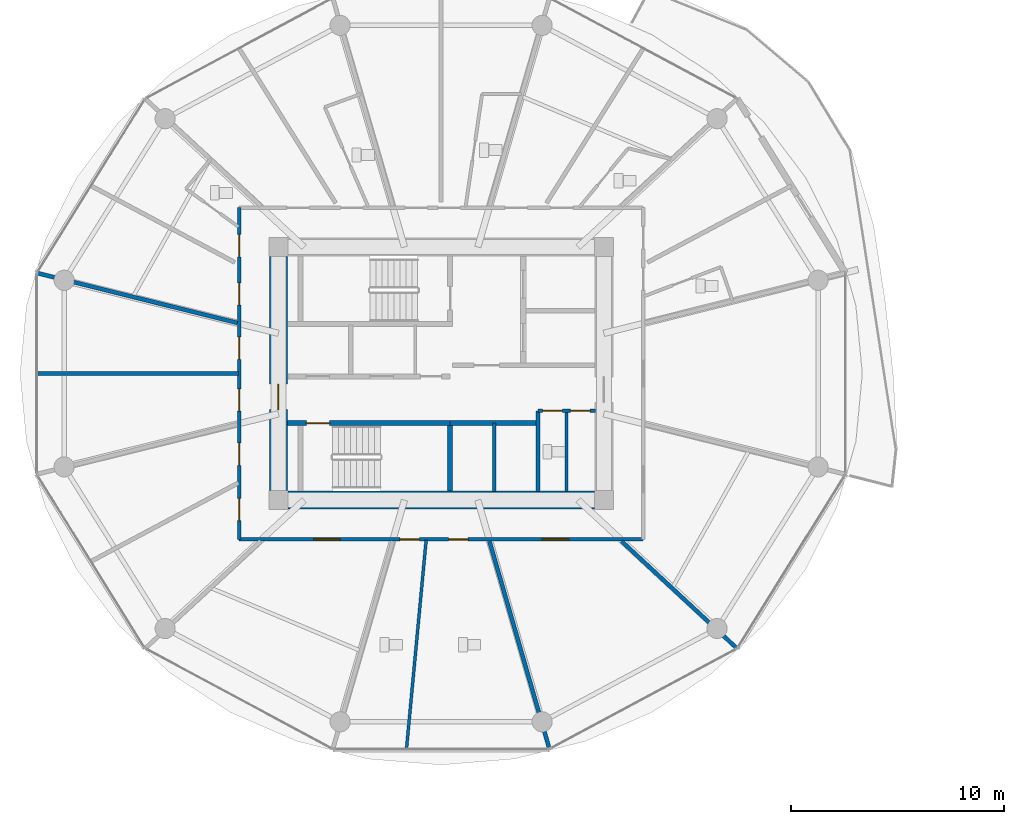
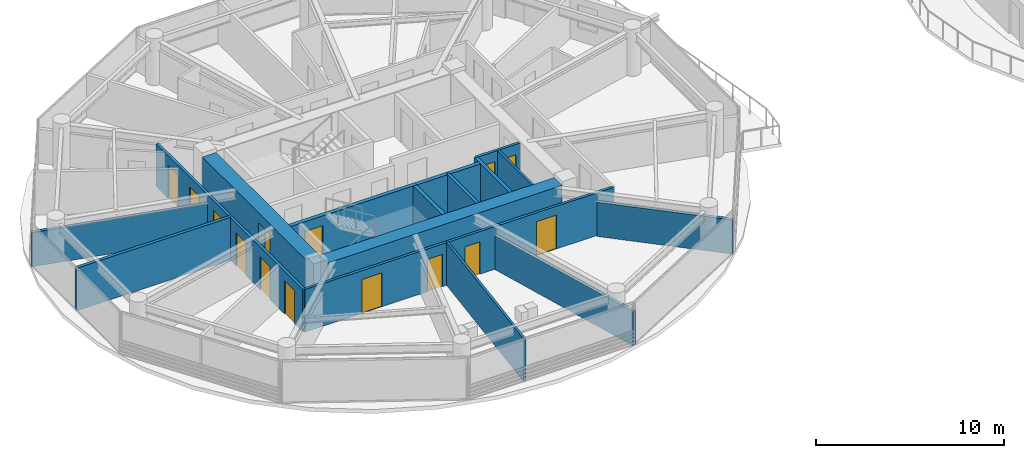
# One storey, part 15 of 26: 16 walls, 14 doors, 14 openings.
"""IFC4 building model written with IfcOpenShell, lengths in metres."""

from ifc_helpers import new_model, si_unit, direction, frame, frame_2d, origin, place, context, subcontext, project, spatial, rectangle, extrude, source, transform, mapped, material, layer, layer_set, type_object, type_shapes, element, fill, save


model = new_model("IFC4")

# Units and contexts
model_context = context("Model", 3, precision=1e-05, world=origin(), true_north=direction((0.0, 1.0)))
body_context = subcontext(model_context, "Body", "Model", "MODEL_VIEW")
ifc_project = project(units=[si_unit("LENGTHUNIT", "METRE"), si_unit("AREAUNIT", "SQUARE_METRE"), si_unit("VOLUMEUNIT", "CUBIC_METRE"), si_unit("PLANEANGLEUNIT", "RADIAN"), si_unit("MASSUNIT", "GRAM", prefix="KILO")], contexts=[model_context])

# Site, building, storey
site_placement = place(None, origin())
site = spatial("IfcSite", under=ifc_project, at=site_placement, CompositionType="ELEMENT")
building_placement = place(site_placement, origin())
building = spatial("IfcBuilding", under=site, at=building_placement, Name="Norrkilde Senior Care Towers", CompositionType="ELEMENT")
storey_placement = place(building_placement, frame((0.0, 0.0, 67.35009765625)))
storey = spatial("IfcBuildingStorey", under=building, at=storey_placement, Name="L20", CompositionType="ELEMENT", Elevation=67.35009765625)

# Wall
ifc_material_1 = material(Name="Concrete C60/75", Category="concrete")
ifc_layer_1 = layer(ifc_material_1, 0.85009765625)
ifc_layer_set_1 = layer_set([ifc_layer_1], Name="Concrete C60/75")
wall_type_1 = type_object("IfcWallType", Name="Core Shear Wall Z1 850", PredefinedType="SHEAR", material=ifc_layer_set_1)
shared_shape_1 = source(origin(), body_context, "Body", "SweptSolid", [
    extrude(rectangle(XDim=14.39990234375, YDim=0.85009765625, at=frame_2d((7.199951171875, 0.0))), origin(), (0.0, 0.0, 1.0), 2.789794921875),
])
wall_1_placement = place(storey_placement, frame((-20.800048828125, -5.949951171875, 0.0), z_axis=(0.0, 0.0, 1.0), x_axis=(-1.0, 0.0, 0.0)))
element("IfcWall", 1, at=wall_1_placement, inside=storey, type_object=wall_type_1, Name="L20 Core W South Shear Wall", PredefinedType="SHEAR", context=body_context, shape_type="MappedRepresentation", body=[
    mapped(shared_shape_1, transform((0.0, 0.0, 0.0), x_axis=(1.0, 0.0, 0.0), y_axis=(0.0, 1.0, 0.0), z_axis=(0.0, 0.0, 1.0), scale=1.0)),
])

# Wall, opening, door
shared_shape_2 = source(origin(), body_context, "Body", "SweptSolid", [
    extrude(rectangle(XDim=11.0, YDim=0.85009765625, at=frame_2d((5.5, 0.0))), origin(), (0.0, 0.0, 1.0), 2.789794921875),
])
type_shapes(wall_type_1, [shared_shape_1, shared_shape_2])
wall_2_placement = place(storey_placement, frame((-35.64990234375, -5.5, 0.0), z_axis=(0.0, 0.0, 1.0), x_axis=(0.0, 1.0, 0.0)))
wall_2 = element("IfcWall", 2, at=wall_2_placement, inside=storey, type_object=wall_type_1, Name="L20 Core W West Shear Wall", PredefinedType="SHEAR", context=body_context, shape_type="MappedRepresentation", body=[
    mapped(shared_shape_2, transform((0.0, 0.0, 0.0), x_axis=(1.0, 0.0, 0.0), y_axis=(0.0, 1.0, 0.0), z_axis=(0.0, 0.0, 1.0), scale=1.0)),
])
opening_1_placement = place(wall_2_placement, frame((3.800048828125, 0.0, 0.0)))
opening_1 = element("IfcOpeningElement", 3, at=opening_1_placement, cuts=wall_2, Name="Opening D-04", PredefinedType="OPENING", context=body_context, shape_type="SweptSolid", body=[
    extrude(rectangle(XDim=1.199951171875, YDim=2.14990234375, at=frame_2d((0.60009765625, 1.074951171875))), frame((0.0, 0.43505859375, 0.0), z_axis=(0.0, -1.0, 0.0), x_axis=(1.0, 0.0, 0.0)), (0.0, 0.0, 1.0), 0.8701171875),
])
ifc_material_2 = material(Name="Galvanised Painted Steel", Category="steel")
door_type_1 = type_object("IfcDoorType", Name="Firefighting Lobby Fire Door 1200x2150", OperationType="NOTDEFINED", PredefinedType="DOOR", material=ifc_material_2)
shared_shape_3 = source(origin(), body_context, "Body", "SweptSolid", [
    extrude(rectangle(XDim=1.199951171875, YDim=2.14990234375, at=frame_2d((0.60009765625, 1.074951171875))), frame((0.0, 0.02490234375, 0.0), z_axis=(0.0, -1.0, 0.0), x_axis=(1.0, 0.0, 0.0)), (0.0, 0.0, 1.0), 0.050048828125),
])
type_shapes(door_type_1, [shared_shape_3])
door_1_placement = place(opening_1_placement, frame((1.199951171875, 0.0, 0.0), z_axis=(0.0, 0.0, 1.0), x_axis=(-1.0, 0.0, 0.0)))
door_1 = element("IfcDoor", 4, at=door_1_placement, inside=storey, type_object=door_type_1, Name="L20 Core W West Portal Door", OperationType="SINGLE_SWING_LEFT", OverallHeight=2.14990234375, OverallWidth=1.199951171875, PredefinedType="DOOR", context=body_context, shape_type="MappedRepresentation", body=[
    mapped(shared_shape_3, transform((0.0, 0.0, 0.0), x_axis=(1.0, 0.0, 0.0), y_axis=(0.0, 1.0, 0.0), z_axis=(0.0, 0.0, 1.0), scale=1.0)),
])
fill(opening_1, door_1)

ifc_material_3 = material(Name="Concrete C45/55", Category="concrete")
ifc_layer_2 = layer(ifc_material_3, 0.239990234375)
ifc_layer_set_2 = layer_set([ifc_layer_2], Name="Concrete C45/55")
wall_type_2 = type_object("IfcWallType", Name="Shaft and Stair Enclosure Wall 240", PredefinedType="PARTITIONING", material=ifc_layer_set_2)
shared_shape_4 = source(origin(), body_context, "Body", "SweptSolid", [
    extrude(rectangle(XDim=7.76513671875, YDim=0.239990234375, at=frame_2d((3.882568359375, 0.0))), origin(), (0.0, 0.0, 1.0), 2.789794921875),
])
wall_3_placement = place(storey_placement, frame((-35.22509765625, -2.330078125, 0.0), z_axis=(0.0, 0.0, 1.0), x_axis=(1.0, 0.0, 0.0)))
wall_3 = element("IfcWall", 5, at=wall_3_placement, inside=storey, type_object=wall_type_2, Name="WL-INT-L20-W-ST2N", PredefinedType="PARTITIONING", context=body_context, shape_type="MappedRepresentation", body=[
    mapped(shared_shape_4, transform((0.0, 0.0, 0.0), x_axis=(1.0, 0.0, 0.0), y_axis=(0.0, 1.0, 0.0), z_axis=(0.0, 0.0, 1.0), scale=1.0)),
])
opening_2_placement = place(wall_3_placement, frame((0.885009765625, 0.0, 0.0)))
opening_2 = element("IfcOpeningElement", 6, at=opening_2_placement, cuts=wall_3, Name="Opening D-03", PredefinedType="OPENING", context=body_context, shape_type="SweptSolid", body=[
    extrude(rectangle(XDim=1.10009765625, YDim=2.14990234375, at=frame_2d((0.550048828125, 1.074951171875))), frame((0.0, 0.1298828125, 0.0), z_axis=(0.0, -1.0, 0.0), x_axis=(1.0, 0.0, 0.0)), (0.0, 0.0, 1.0), 0.260009765625),
])
door_type_2 = type_object("IfcDoorType", Name="Stairwell Protected Fire Door 1100x2150", OperationType="NOTDEFINED", PredefinedType="DOOR", material=ifc_material_2)
shared_shape_5 = source(origin(), body_context, "Body", "SweptSolid", [
    extrude(rectangle(XDim=1.10009765625, YDim=2.14990234375, at=frame_2d((0.550048828125, 1.074951171875))), frame((0.0, 0.02490234375, 0.0), z_axis=(0.0, -1.0, 0.0), x_axis=(1.0, 0.0, 0.0)), (0.0, 0.0, 1.0), 0.050048828125),
])
type_shapes(door_type_2, [shared_shape_5])
door_2_placement = place(opening_2_placement, frame((1.10009765625, 0.0, 0.0), z_axis=(0.0, 0.0, 1.0), x_axis=(-1.0, 0.0, 0.0)))
door_2 = element("IfcDoor", 7, at=door_2_placement, inside=storey, type_object=door_type_2, Name="L20 Stair W2 Fire Door", OperationType="SINGLE_SWING_RIGHT", OverallHeight=2.14990234375, OverallWidth=1.10009765625, PredefinedType="DOOR", context=body_context, shape_type="MappedRepresentation", body=[
    mapped(shared_shape_5, transform((0.0, 0.0, 0.0), x_axis=(1.0, 0.0, 0.0), y_axis=(0.0, 1.0, 0.0), z_axis=(0.0, 0.0, 1.0), scale=1.0)),
])
fill(opening_2, door_2)

# Walls
shared_shape_6 = source(origin(), body_context, "Body", "SweptSolid", [
    extrude(rectangle(XDim=3.074951171875, YDim=0.239990234375, at=frame_2d((1.53759765625, 0.0))), origin(), (0.0, 0.0, 1.0), 2.789794921875),
])
type_shapes(wall_type_2, [shared_shape_4, shared_shape_6])
wall_4_placement = place(storey_placement, frame((-27.580078125, -5.52490234375, 0.0), z_axis=(0.0, 0.0, 1.0), x_axis=(0.0, 1.0, 0.0)))
element("IfcWall", 8, at=wall_4_placement, inside=storey, type_object=wall_type_2, Name="WL-INT-L20-W-ST2E", PredefinedType="PARTITIONING", context=body_context, shape_type="MappedRepresentation", body=[
    mapped(shared_shape_6, transform((0.0, 0.0, 0.0), x_axis=(1.0, 0.0, 0.0), y_axis=(0.0, 1.0, 0.0), z_axis=(0.0, 0.0, 1.0), scale=1.0)),
])
ifc_layer_3 = layer(ifc_material_3, 0.199951171875)
ifc_layer_set_3 = layer_set([ifc_layer_3], Name="Concrete C45/55")
wall_type_3 = type_object("IfcWallType", Name="Shaft Division and Plant Partition 200", PredefinedType="PARTITIONING", material=ifc_layer_set_3)
shared_shape_7 = source(origin(), body_context, "Body", "SweptSolid", [
    extrude(rectangle(XDim=3.800048828125, YDim=0.199951171875, at=frame_2d((1.89990234375, 0.0))), origin(), (0.0, 0.0, 1.0), 2.77490234375),
])
type_shapes(wall_type_3, [shared_shape_7])
wall_5_placement = place(storey_placement, frame((-23.449951171875, -5.550048828125, 0.0), z_axis=(0.0, 0.0, 1.0), x_axis=(0.0, 1.0, 0.0)))
element("IfcWall", 9, at=wall_5_placement, inside=storey, type_object=wall_type_3, Name="WL-INT-L20-W-PKBE", PredefinedType="PARTITIONING", context=body_context, shape_type="MappedRepresentation", body=[
    mapped(shared_shape_7, transform((0.0, 0.0, 0.0), x_axis=(1.0, 0.0, 0.0), y_axis=(0.0, 1.0, 0.0), z_axis=(0.0, 0.0, 1.0), scale=1.0)),
])
ifc_layer_4 = layer(ifc_material_3, 0.239990234375)
ifc_layer_set_4 = layer_set([ifc_layer_4], Name="Concrete C45/55")
wall_type_4 = type_object("IfcWallType", Name="Lift and Plant Rated Enclosure Partition 240", PredefinedType="PARTITIONING", material=ifc_layer_set_4)
shared_shape_8 = source(origin(), body_context, "Body", "SweptSolid", [
    extrude(rectangle(XDim=4.130126953125, YDim=0.239990234375, at=frame_2d((2.06494140625, 0.0))), origin(), (0.0, 0.0, 1.0), 2.77490234375),
])
type_shapes(wall_type_4, [shared_shape_8])
wall_6_placement = place(storey_placement, frame((-27.580078125, -2.330078125, 0.0), z_axis=(0.0, 0.0, 1.0), x_axis=(1.0, 0.0, 0.0)))
element("IfcWall", 10, at=wall_6_placement, inside=storey, type_object=wall_type_4, Name="WL-INT-L20-W-PKBN", PredefinedType="PARTITIONING", context=body_context, shape_type="MappedRepresentation", body=[
    mapped(shared_shape_8, transform((0.0, 0.0, 0.0), x_axis=(1.0, 0.0, 0.0), y_axis=(0.0, 1.0, 0.0), z_axis=(0.0, 0.0, 1.0), scale=1.0)),
])
ifc_layer_5 = layer(ifc_material_3, 0.179931640625)
ifc_layer_set_5 = layer_set([ifc_layer_5], Name="Concrete C45/55")
wall_type_5 = type_object("IfcWallType", Name="Hoistway Division Rated Partition 180", PredefinedType="PARTITIONING", material=ifc_layer_set_5)
shared_shape_9 = source(origin(), body_context, "Body", "SweptSolid", [
    extrude(rectangle(XDim=3.219970703125, YDim=0.179931640625, at=frame_2d((1.60986328125, 0.0))), origin(), (0.0, 0.0, 1.0), 2.77490234375),
])
type_shapes(wall_type_5, [shared_shape_9])
wall_7_placement = place(storey_placement, frame((-25.5, -5.550048828125, 0.0), z_axis=(0.0, 0.0, 1.0), x_axis=(0.0, 1.0, 0.0)))
element("IfcWall", 11, at=wall_7_placement, inside=storey, type_object=wall_type_5, Name="WL-INT-L20-W-PL34", PredefinedType="PARTITIONING", context=body_context, shape_type="MappedRepresentation", body=[
    mapped(shared_shape_9, transform((0.0, 0.0, 0.0), x_axis=(1.0, 0.0, 0.0), y_axis=(0.0, 1.0, 0.0), z_axis=(0.0, 0.0, 1.0), scale=1.0)),
])

# Wall, openings, doors
ifc_material_4 = material(Name="Gypsum Acoustic Board")
ifc_layer_6 = layer(ifc_material_4, 0.1650390625)
ifc_layer_set_6 = layer_set([ifc_layer_6], Name="Gypsum Acoustic Board")
wall_type_6 = type_object("IfcWallType", Name="Corridor Rated Partition 165", PredefinedType="PARTITIONING", material=ifc_layer_set_6)
shared_shape_10 = source(origin(), body_context, "Body", "SweptSolid", [
    extrude(rectangle(XDim=2.699951171875, YDim=0.1650390625, at=frame_2d((1.35009765625, 0.0))), origin(), (0.0, 0.0, 1.0), 2.77490234375),
])
wall_8_placement = place(storey_placement, frame((-23.449951171875, -1.75, 0.0), z_axis=(0.0, 0.0, 1.0), x_axis=(1.0, 0.0, 0.0)))
wall_8 = element("IfcWall", 12, at=wall_8_placement, inside=storey, type_object=wall_type_6, Name="WL-INT-L20-W-CSN", PredefinedType="PARTITIONING", context=body_context, shape_type="MappedRepresentation", body=[
    mapped(shared_shape_10, transform((0.0, 0.0, 0.0), x_axis=(1.0, 0.0, 0.0), y_axis=(0.0, 1.0, 0.0), z_axis=(0.0, 0.0, 1.0), scale=1.0)),
])
opening_3_placement = place(wall_8_placement, frame((0.222412109375, 0.0, 0.0)))
opening_3 = element("IfcOpeningElement", 13, at=opening_3_placement, cuts=wall_8, Name="Opening D-12", PredefinedType="OPENING", context=body_context, shape_type="SweptSolid", body=[
    extrude(rectangle(XDim=0.925048828125, YDim=2.10009765625, at=frame_2d((0.46240234375, 1.050048828125))), frame((0.0, 0.092529296875, 0.0), z_axis=(0.0, -1.0, 0.0), x_axis=(1.0, 0.0, 0.0)), (0.0, 0.0, 1.0), 0.18505859375),
])
opening_4_placement = place(wall_8_placement, frame((1.5224609375, 0.0, 0.0)))
opening_4 = element("IfcOpeningElement", 14, at=opening_4_placement, cuts=wall_8, Name="Opening D-12", PredefinedType="OPENING", context=body_context, shape_type="SweptSolid", body=[
    extrude(rectangle(XDim=0.925048828125, YDim=2.10009765625, at=frame_2d((0.46240234375, 1.050048828125))), frame((0.0, 0.092529296875, 0.0), z_axis=(0.0, -1.0, 0.0), x_axis=(1.0, 0.0, 0.0)), (0.0, 0.0, 1.0), 0.18505859375),
])
door_type_3 = type_object("IfcDoorType", Name="Core Wet Room Rated Door 925x2100", OperationType="NOTDEFINED", PredefinedType="DOOR", material=ifc_material_2)
shared_shape_11 = source(origin(), body_context, "Body", "SweptSolid", [
    extrude(rectangle(XDim=0.925048828125, YDim=2.10009765625, at=frame_2d((0.46240234375, 1.050048828125))), frame((0.0, 0.02490234375, 0.0), z_axis=(0.0, -1.0, 0.0), x_axis=(1.0, 0.0, 0.0)), (0.0, 0.0, 1.0), 0.050048828125),
])
type_shapes(door_type_3, [shared_shape_11])
door_3_placement = place(opening_3_placement, origin())
door_3 = element("IfcDoor", 15, at=door_3_placement, inside=storey, type_object=door_type_3, Name="L20 Staff Accessible WC W Door", OperationType="SINGLE_SWING_LEFT", OverallHeight=2.10009765625, OverallWidth=0.925048828125, PredefinedType="DOOR", context=body_context, shape_type="MappedRepresentation", body=[
    mapped(shared_shape_11, transform((0.0, 0.0, 0.0), x_axis=(1.0, 0.0, 0.0), y_axis=(0.0, 1.0, 0.0), z_axis=(0.0, 0.0, 1.0), scale=1.0)),
])
fill(opening_3, door_3)
door_4_placement = place(opening_4_placement, origin())
door_4 = element("IfcDoor", 16, at=door_4_placement, inside=storey, type_object=door_type_3, Name="L20 Housekeeping Store W Door", OperationType="SINGLE_SWING_RIGHT", OverallHeight=2.10009765625, OverallWidth=0.925048828125, PredefinedType="DOOR", context=body_context, shape_type="MappedRepresentation", body=[
    mapped(shared_shape_11, transform((0.0, 0.0, 0.0), x_axis=(1.0, 0.0, 0.0), y_axis=(0.0, 1.0, 0.0), z_axis=(0.0, 0.0, 1.0), scale=1.0)),
])
fill(opening_4, door_4)

shared_shape_12 = source(origin(), body_context, "Body", "SweptSolid", [
    extrude(rectangle(XDim=19.0, YDim=0.1650390625, at=frame_2d((9.5, 0.0))), origin(), (0.0, 0.0, 1.0), 2.77490234375),
])
wall_9_placement = place(storey_placement, frame((-18.5, -7.800048828125, 0.0), z_axis=(0.0, 0.0, 1.0), x_axis=(-1.0, 0.0, 0.0)))
wall_9 = element("IfcWall", 17, at=wall_9_placement, inside=storey, type_object=wall_type_6, Name="WL-INT-L20-W-CRW-S-0", PredefinedType="PARTITIONING", context=body_context, shape_type="MappedRepresentation", body=[
    mapped(shared_shape_12, transform((0.0, 0.0, 0.0), x_axis=(1.0, 0.0, 0.0), y_axis=(0.0, 1.0, 0.0), z_axis=(0.0, 0.0, 1.0), scale=1.0)),
])
opening_5_placement = place(wall_9_placement, frame((14.244384765625, 0.0, 0.0)))
opening_5 = element("IfcOpeningElement", 18, at=opening_5_placement, cuts=wall_9, Name="Opening D-05", PredefinedType="OPENING", context=body_context, shape_type="SweptSolid", body=[
    extrude(rectangle(XDim=1.25, YDim=2.199951171875, at=frame_2d((0.625, 1.10009765625))), frame((0.0, 0.092529296875, 0.0), z_axis=(0.0, -1.0, 0.0), x_axis=(1.0, 0.0, 0.0)), (0.0, 0.0, 1.0), 0.18505859375),
])
opening_6_placement = place(wall_9_placement, frame((10.523193359375, 0.0, 0.0)))
opening_6 = element("IfcOpeningElement", 19, at=opening_6_placement, cuts=wall_9, Name="Opening D-08", PredefinedType="OPENING", context=body_context, shape_type="SweptSolid", body=[
    extrude(rectangle(XDim=0.919921875, YDim=2.10009765625, at=frame_2d((0.4599609375, 1.050048828125))), frame((0.0, 0.092529296875, 0.0), z_axis=(0.0, -1.0, 0.0), x_axis=(1.0, 0.0, 0.0)), (0.0, 0.0, 1.0), 0.18505859375),
])
opening_7_placement = place(wall_9_placement, frame((8.2255859375, 0.0, 0.0)))
opening_7 = element("IfcOpeningElement", 20, at=opening_7_placement, cuts=wall_9, Name="Opening D-08", PredefinedType="OPENING", context=body_context, shape_type="SweptSolid", body=[
    extrude(rectangle(XDim=0.919921875, YDim=2.10009765625, at=frame_2d((0.4599609375, 1.050048828125))), frame((0.0, 0.092529296875, 0.0), z_axis=(0.0, -1.0, 0.0), x_axis=(1.0, 0.0, 0.0)), (0.0, 0.0, 1.0), 0.18505859375),
])
opening_8_placement = place(wall_9_placement, frame((3.505615234375, 0.0, 0.0)))
opening_8 = element("IfcOpeningElement", 21, at=opening_8_placement, cuts=wall_9, Name="Opening D-05", PredefinedType="OPENING", context=body_context, shape_type="SweptSolid", body=[
    extrude(rectangle(XDim=1.25, YDim=2.199951171875, at=frame_2d((0.625, 1.10009765625))), frame((0.0, 0.092529296875, 0.0), z_axis=(0.0, -1.0, 0.0), x_axis=(1.0, 0.0, 0.0)), (0.0, 0.0, 1.0), 0.18505859375),
])
ifc_material_5 = material(Name="Nordic Ash Timber", Category="wood")
door_type_4 = type_object("IfcDoorType", Name="Care Bedroom Bariatric Door 1250x2200", OperationType="NOTDEFINED", PredefinedType="DOOR", material=ifc_material_5)
shared_shape_13 = source(origin(), body_context, "Body", "SweptSolid", [
    extrude(rectangle(XDim=1.25, YDim=2.199951171875, at=frame_2d((0.625, 1.10009765625))), frame((0.0, 0.02490234375, 0.0), z_axis=(0.0, -1.0, 0.0), x_axis=(1.0, 0.0, 0.0)), (0.0, 0.0, 1.0), 0.050048828125),
])
type_shapes(door_type_4, [shared_shape_13])
door_5_placement = place(opening_5_placement, frame((1.25, 0.0, 0.0), z_axis=(0.0, 0.0, 1.0), x_axis=(-1.0, 0.0, 0.0)))
door_5 = element("IfcDoor", 22, at=door_5_placement, inside=storey, type_object=door_type_4, Name="L20 Geriatric Rehabilitation Clinic Door", OperationType="SINGLE_SWING_RIGHT", OverallHeight=2.199951171875, OverallWidth=1.25, PredefinedType="DOOR", context=body_context, shape_type="MappedRepresentation", body=[
    mapped(shared_shape_13, transform((0.0, 0.0, 0.0), x_axis=(1.0, 0.0, 0.0), y_axis=(0.0, 1.0, 0.0), z_axis=(0.0, 0.0, 1.0), scale=1.0)),
])
fill(opening_5, door_5)
door_6_placement = place(opening_8_placement, frame((1.25, 0.0, 0.0), z_axis=(0.0, 0.0, 1.0), x_axis=(-1.0, 0.0, 0.0)))
door_6 = element("IfcDoor", 23, at=door_6_placement, inside=storey, type_object=door_type_4, Name="L20 Resident Therapeutic Day Lounge Door", OperationType="SINGLE_SWING_RIGHT", OverallHeight=2.199951171875, OverallWidth=1.25, PredefinedType="DOOR", context=body_context, shape_type="MappedRepresentation", body=[
    mapped(shared_shape_13, transform((0.0, 0.0, 0.0), x_axis=(1.0, 0.0, 0.0), y_axis=(0.0, 1.0, 0.0), z_axis=(0.0, 0.0, 1.0), scale=1.0)),
])
fill(opening_8, door_6)
door_type_5 = type_object("IfcDoorType", Name="Accessible Wet Room Door 920x2100", OperationType="NOTDEFINED", PredefinedType="DOOR", material=ifc_material_5)
shared_shape_14 = source(origin(), body_context, "Body", "SweptSolid", [
    extrude(rectangle(XDim=0.919921875, YDim=2.10009765625, at=frame_2d((0.4599609375, 1.050048828125))), frame((0.0, 0.02490234375, 0.0), z_axis=(0.0, -1.0, 0.0), x_axis=(1.0, 0.0, 0.0)), (0.0, 0.0, 1.0), 0.050048828125),
])
type_shapes(door_type_5, [shared_shape_14])
door_7_placement = place(opening_6_placement, frame((0.919921875, 0.0, 0.0), z_axis=(0.0, 0.0, 1.0), x_axis=(-1.0, 0.0, 0.0)))
door_7 = element("IfcDoor", 24, at=door_7_placement, inside=storey, type_object=door_type_5, Name="L20 Accessible Restroom Door", OperationType="SINGLE_SWING_LEFT", OverallHeight=2.10009765625, OverallWidth=0.919921875, PredefinedType="DOOR", context=body_context, shape_type="MappedRepresentation", body=[
    mapped(shared_shape_14, transform((0.0, 0.0, 0.0), x_axis=(1.0, 0.0, 0.0), y_axis=(0.0, 1.0, 0.0), z_axis=(0.0, 0.0, 1.0), scale=1.0)),
])
fill(opening_6, door_7)
door_8_placement = place(opening_7_placement, frame((0.919921875, 0.0, 0.0), z_axis=(0.0, 0.0, 1.0), x_axis=(-1.0, 0.0, 0.0)))
door_8 = element("IfcDoor", 25, at=door_8_placement, inside=storey, type_object=door_type_5, Name="L20 Public Restroom Door", OperationType="SINGLE_SWING_RIGHT", OverallHeight=2.10009765625, OverallWidth=0.919921875, PredefinedType="DOOR", context=body_context, shape_type="MappedRepresentation", body=[
    mapped(shared_shape_14, transform((0.0, 0.0, 0.0), x_axis=(1.0, 0.0, 0.0), y_axis=(0.0, 1.0, 0.0), z_axis=(0.0, 0.0, 1.0), scale=1.0)),
])
fill(opening_7, door_8)

shared_shape_15 = source(origin(), body_context, "Body", "SweptSolid", [
    extrude(rectangle(XDim=15.60009765625, YDim=0.1650390625, at=frame_2d((7.800048828125, 0.0))), origin(), (0.0, 0.0, 1.0), 2.77490234375),
])
type_shapes(wall_type_6, [shared_shape_10, shared_shape_12, shared_shape_15])
wall_10_placement = place(storey_placement, frame((-37.5, -7.800048828125, 0.0), z_axis=(0.0, 0.0, 1.0), x_axis=(0.0, 1.0, 0.0)))
wall_10 = element("IfcWall", 26, at=wall_10_placement, inside=storey, type_object=wall_type_6, Name="WL-INT-L20-W-CRW-W-0", PredefinedType="PARTITIONING", context=body_context, shape_type="MappedRepresentation", body=[
    mapped(shared_shape_15, transform((0.0, 0.0, 0.0), x_axis=(1.0, 0.0, 0.0), y_axis=(0.0, 1.0, 0.0), z_axis=(0.0, 0.0, 1.0), scale=1.0)),
])
opening_9_placement = place(wall_10_placement, frame((3.489013671875, 0.0, 0.0)))
opening_9 = element("IfcOpeningElement", 27, at=opening_9_placement, cuts=wall_10, Name="Opening D-06", PredefinedType="OPENING", context=body_context, shape_type="SweptSolid", body=[
    extrude(rectangle(XDim=1.050048828125, YDim=2.14990234375, at=frame_2d((0.52490234375, 1.074951171875))), frame((0.0, 0.092529296875, 0.0), z_axis=(0.0, -1.0, 0.0), x_axis=(1.0, 0.0, 0.0)), (0.0, 0.0, 1.0), 0.18505859375),
])
opening_10_placement = place(wall_10_placement, frame((0.881591796875, 0.0, 0.0)))
opening_10 = element("IfcOpeningElement", 28, at=opening_10_placement, cuts=wall_10, Name="Opening D-06", PredefinedType="OPENING", context=body_context, shape_type="SweptSolid", body=[
    extrude(rectangle(XDim=1.050048828125, YDim=2.14990234375, at=frame_2d((0.52490234375, 1.074951171875))), frame((0.0, 0.092529296875, 0.0), z_axis=(0.0, -1.0, 0.0), x_axis=(1.0, 0.0, 0.0)), (0.0, 0.0, 1.0), 0.18505859375),
])
opening_11_placement = place(wall_10_placement, frame((13.293212890625, 0.0, 0.0)))
opening_11 = element("IfcOpeningElement", 29, at=opening_11_placement, cuts=wall_10, Name="Opening D-06", PredefinedType="OPENING", context=body_context, shape_type="SweptSolid", body=[
    extrude(rectangle(XDim=1.050048828125, YDim=2.14990234375, at=frame_2d((0.52490234375, 1.074951171875))), frame((0.0, 0.092529296875, 0.0), z_axis=(0.0, -1.0, 0.0), x_axis=(1.0, 0.0, 0.0)), (0.0, 0.0, 1.0), 0.18505859375),
])
opening_12_placement = place(wall_10_placement, frame((11.017822265625, 0.0, 0.0)))
opening_12 = element("IfcOpeningElement", 30, at=opening_12_placement, cuts=wall_10, Name="Opening D-06", PredefinedType="OPENING", context=body_context, shape_type="SweptSolid", body=[
    extrude(rectangle(XDim=1.050048828125, YDim=2.14990234375, at=frame_2d((0.52490234375, 1.074951171875))), frame((0.0, 0.092529296875, 0.0), z_axis=(0.0, -1.0, 0.0), x_axis=(1.0, 0.0, 0.0)), (0.0, 0.0, 1.0), 0.18505859375),
])
opening_13_placement = place(wall_10_placement, frame((8.467041015625, 0.0, 0.0)))
opening_13 = element("IfcOpeningElement", 31, at=opening_13_placement, cuts=wall_10, Name="Opening D-06", PredefinedType="OPENING", context=body_context, shape_type="SweptSolid", body=[
    extrude(rectangle(XDim=1.050048828125, YDim=2.14990234375, at=frame_2d((0.52490234375, 1.074951171875))), frame((0.0, 0.092529296875, 0.0), z_axis=(0.0, -1.0, 0.0), x_axis=(1.0, 0.0, 0.0)), (0.0, 0.0, 1.0), 0.18505859375),
])
opening_14_placement = place(wall_10_placement, frame((6.03466796875, 0.0, 0.0)))
opening_14 = element("IfcOpeningElement", 32, at=opening_14_placement, cuts=wall_10, Name="Opening D-06", PredefinedType="OPENING", context=body_context, shape_type="SweptSolid", body=[
    extrude(rectangle(XDim=1.050048828125, YDim=2.14990234375, at=frame_2d((0.52490234375, 1.074951171875))), frame((0.0, 0.092529296875, 0.0), z_axis=(0.0, -1.0, 0.0), x_axis=(1.0, 0.0, 0.0)), (0.0, 0.0, 1.0), 0.18505859375),
])
door_type_6 = type_object("IfcDoorType", Name="Apartment Entrance Fire Door 1050x2150", OperationType="NOTDEFINED", PredefinedType="DOOR", material=ifc_material_5)
shared_shape_16 = source(origin(), body_context, "Body", "SweptSolid", [
    extrude(rectangle(XDim=1.050048828125, YDim=2.14990234375, at=frame_2d((0.52490234375, 1.074951171875))), frame((0.0, 0.02490234375, 0.0), z_axis=(0.0, -1.0, 0.0), x_axis=(1.0, 0.0, 0.0)), (0.0, 0.0, 1.0), 0.050048828125),
])
type_shapes(door_type_6, [shared_shape_16])
door_9_placement = place(opening_9_placement, frame((1.050048828125, 0.0, 0.0), z_axis=(0.0, 0.0, 1.0), x_axis=(-1.0, 0.0, 0.0)))
door_9 = element("IfcDoor", 33, at=door_9_placement, inside=storey, type_object=door_type_6, Name="L20 Physiotherapy Clinic 6A Door", OperationType="SINGLE_SWING_LEFT", OverallHeight=2.14990234375, OverallWidth=1.050048828125, PredefinedType="DOOR", context=body_context, shape_type="MappedRepresentation", body=[
    mapped(shared_shape_16, transform((0.0, 0.0, 0.0), x_axis=(1.0, 0.0, 0.0), y_axis=(0.0, 1.0, 0.0), z_axis=(0.0, 0.0, 1.0), scale=1.0)),
])
fill(opening_9, door_9)
door_10_placement = place(opening_10_placement, frame((1.050048828125, 0.0, 0.0), z_axis=(0.0, 0.0, 1.0), x_axis=(-1.0, 0.0, 0.0)))
door_10 = element("IfcDoor", 34, at=door_10_placement, inside=storey, type_object=door_type_6, Name="L20 Assessment Clinic 6B Door", OperationType="SINGLE_SWING_RIGHT", OverallHeight=2.14990234375, OverallWidth=1.050048828125, PredefinedType="DOOR", context=body_context, shape_type="MappedRepresentation", body=[
    mapped(shared_shape_16, transform((0.0, 0.0, 0.0), x_axis=(1.0, 0.0, 0.0), y_axis=(0.0, 1.0, 0.0), z_axis=(0.0, 0.0, 1.0), scale=1.0)),
])
fill(opening_10, door_10)
door_11_placement = place(opening_11_placement, frame((1.050048828125, 0.0, 0.0), z_axis=(0.0, 0.0, 1.0), x_axis=(-1.0, 0.0, 0.0)))
door_11 = element("IfcDoor", 35, at=door_11_placement, inside=storey, type_object=door_type_6, Name="L20 Care Suite 2004A Entrance Door", OperationType="SINGLE_SWING_LEFT", OverallHeight=2.14990234375, OverallWidth=1.050048828125, PredefinedType="DOOR", context=body_context, shape_type="MappedRepresentation", body=[
    mapped(shared_shape_16, transform((0.0, 0.0, 0.0), x_axis=(1.0, 0.0, 0.0), y_axis=(0.0, 1.0, 0.0), z_axis=(0.0, 0.0, 1.0), scale=1.0)),
])
fill(opening_11, door_11)
door_12_placement = place(opening_12_placement, frame((1.050048828125, 0.0, 0.0), z_axis=(0.0, 0.0, 1.0), x_axis=(-1.0, 0.0, 0.0)))
door_12 = element("IfcDoor", 36, at=door_12_placement, inside=storey, type_object=door_type_6, Name="L20 Therapy Day Lounge 04 Door", OperationType="SINGLE_SWING_RIGHT", OverallHeight=2.14990234375, OverallWidth=1.050048828125, PredefinedType="DOOR", context=body_context, shape_type="MappedRepresentation", body=[
    mapped(shared_shape_16, transform((0.0, 0.0, 0.0), x_axis=(1.0, 0.0, 0.0), y_axis=(0.0, 1.0, 0.0), z_axis=(0.0, 0.0, 1.0), scale=1.0)),
])
fill(opening_12, door_12)
door_13_placement = place(opening_13_placement, frame((1.050048828125, 0.0, 0.0), z_axis=(0.0, 0.0, 1.0), x_axis=(-1.0, 0.0, 0.0)))
door_13 = element("IfcDoor", 37, at=door_13_placement, inside=storey, type_object=door_type_6, Name="L20 Physiotherapy Clinic 5A Door", OperationType="SINGLE_SWING_RIGHT", OverallHeight=2.14990234375, OverallWidth=1.050048828125, PredefinedType="DOOR", context=body_context, shape_type="MappedRepresentation", body=[
    mapped(shared_shape_16, transform((0.0, 0.0, 0.0), x_axis=(1.0, 0.0, 0.0), y_axis=(0.0, 1.0, 0.0), z_axis=(0.0, 0.0, 1.0), scale=1.0)),
])
fill(opening_13, door_13)
door_14_placement = place(opening_14_placement, frame((1.050048828125, 0.0, 0.0), z_axis=(0.0, 0.0, 1.0), x_axis=(-1.0, 0.0, 0.0)))
door_14 = element("IfcDoor", 38, at=door_14_placement, inside=storey, type_object=door_type_6, Name="L20 Assessment Clinic 5B Door", OperationType="SINGLE_SWING_LEFT", OverallHeight=2.14990234375, OverallWidth=1.050048828125, PredefinedType="DOOR", context=body_context, shape_type="MappedRepresentation", body=[
    mapped(shared_shape_16, transform((0.0, 0.0, 0.0), x_axis=(1.0, 0.0, 0.0), y_axis=(0.0, 1.0, 0.0), z_axis=(0.0, 0.0, 1.0), scale=1.0)),
])
fill(opening_14, door_14)

# Walls
ifc_layer_7 = layer(ifc_material_4, 0.18994140625)
ifc_layer_set_7 = layer_set([ifc_layer_7], Name="Gypsum Acoustic Board")
wall_type_7 = type_object("IfcWallType", Name="Unit Demising Acoustic Wall 190", PredefinedType="PARTITIONING", material=ifc_layer_set_7)
shared_shape_17 = source(origin(), body_context, "Body", "SweptSolid", [
    extrude(rectangle(XDim=7.4345703125, YDim=0.18994140625, at=frame_2d((3.71728515625, 0.0))), origin(), (0.0, 0.0, 1.0), 2.224853515625),
])
wall_11_placement = place(storey_placement, frame((-19.51708984375, -7.8798828125, 0.0), z_axis=(0.0, 0.0, 1.0), x_axis=(0.732651956848, -0.680603489652, 0.0)))
element("IfcWall", 39, at=wall_11_placement, inside=storey, type_object=wall_type_7, Name="WL-INT-L20-W-DEM-10-0", PredefinedType="PARTITIONING", context=body_context, shape_type="MappedRepresentation", body=[
    mapped(shared_shape_17, transform((0.0, 0.0, 0.0), x_axis=(1.0, 0.0, 0.0), y_axis=(0.0, 1.0, 0.0), z_axis=(0.0, 0.0, 1.0), scale=1.0)),
])
shared_shape_18 = source(origin(), body_context, "Body", "SweptSolid", [
    extrude(rectangle(XDim=10.196044921875, YDim=0.18994140625, at=frame_2d((5.09814453125, 0.0))), origin(), (0.0, 0.0, 1.0), 2.224853515625),
])
wall_12_placement = place(storey_placement, frame((-25.72705078125, -7.8798828125, 0.0), z_axis=(0.0, 0.0, 1.0), x_axis=(0.277136420347, -0.960830580549, 0.0)))
element("IfcWall", 40, at=wall_12_placement, inside=storey, type_object=wall_type_7, Name="WL-INT-L20-W-DEM-09-0", PredefinedType="PARTITIONING", context=body_context, shape_type="MappedRepresentation", body=[
    mapped(shared_shape_18, transform((0.0, 0.0, 0.0), x_axis=(1.0, 0.0, 0.0), y_axis=(0.0, 1.0, 0.0), z_axis=(0.0, 0.0, 1.0), scale=1.0)),
])
shared_shape_19 = source(origin(), body_context, "Body", "SweptSolid", [
    extrude(rectangle(XDim=9.737060546875, YDim=0.18994140625, at=frame_2d((4.86865234375, 0.0))), origin(), (0.0, 0.0, 1.0), 2.224853515625),
])
wall_13_placement = place(storey_placement, frame((-37.580078125, 2.384521484375, 0.0), z_axis=(0.0, 0.0, 1.0), x_axis=(-0.970392716238, 0.241532557375, 0.0)))
element("IfcWall", 41, at=wall_13_placement, inside=storey, type_object=wall_type_7, Name="WL-INT-L20-W-DEM-05-0", PredefinedType="PARTITIONING", context=body_context, shape_type="MappedRepresentation", body=[
    mapped(shared_shape_19, transform((0.0, 0.0, 0.0), x_axis=(1.0, 0.0, 0.0), y_axis=(0.0, 1.0, 0.0), z_axis=(0.0, 0.0, 1.0), scale=1.0)),
])
ifc_layer_8 = layer(ifc_material_4, 0.139892578125)
ifc_layer_set_8 = layer_set([ifc_layer_8], Name="Gypsum Acoustic Board")
wall_type_8 = type_object("IfcWallType", Name="En-suite Wet Room Wall 140", PredefinedType="PARTITIONING", material=ifc_layer_set_8)
shared_shape_20 = source(origin(), body_context, "Body", "SweptSolid", [
    extrude(rectangle(XDim=3.800048828125, YDim=0.139892578125, at=frame_2d((1.89990234375, 0.0))), origin(), (0.0, 0.0, 1.0), 2.77490234375),
])
wall_14_placement = place(storey_placement, frame((-22.10009765625, -5.550048828125, 0.0), z_axis=(0.0, 0.0, 1.0), x_axis=(0.0, 1.0, 0.0)))
element("IfcWall", 42, at=wall_14_placement, inside=storey, type_object=wall_type_8, Name="WL-INT-L20-W-CS1V", PredefinedType="PARTITIONING", context=body_context, shape_type="MappedRepresentation", body=[
    mapped(shared_shape_20, transform((0.0, 0.0, 0.0), x_axis=(1.0, 0.0, 0.0), y_axis=(0.0, 1.0, 0.0), z_axis=(0.0, 0.0, 1.0), scale=1.0)),
])
shared_shape_21 = source(origin(), body_context, "Body", "SweptSolid", [
    extrude(rectangle(XDim=9.498779296875, YDim=0.18994140625, at=frame_2d((4.74951171875, 0.0))), origin(), (0.0, 0.0, 1.0), 2.77490234375),
])
type_shapes(wall_type_7, [shared_shape_17, shared_shape_18, shared_shape_19, shared_shape_21])
wall_15_placement = place(storey_placement, frame((-37.530029296875, 0.0, 0.0), z_axis=(0.0, 0.0, 1.0), x_axis=(-1.0, 0.0, 0.0)))
element("IfcWall", 43, at=wall_15_placement, inside=storey, type_object=wall_type_7, Name="WL-INT-L20-W-MID-05", PredefinedType="PARTITIONING", context=body_context, shape_type="MappedRepresentation", body=[
    mapped(shared_shape_21, transform((0.0, 0.0, 0.0), x_axis=(1.0, 0.0, 0.0), y_axis=(0.0, 1.0, 0.0), z_axis=(0.0, 0.0, 1.0), scale=1.0)),
])
shared_shape_22 = source(origin(), body_context, "Body", "SweptSolid", [
    extrude(rectangle(XDim=9.89013671875, YDim=0.139892578125, at=frame_2d((4.945068359375, 0.0))), origin(), (0.0, 0.0, 1.0), 2.77490234375),
])
type_shapes(wall_type_8, [shared_shape_20, shared_shape_22])
wall_16_placement = place(storey_placement, frame((-28.7041015625, -7.830078125, 0.0), z_axis=(0.0, 0.0, 1.0), x_axis=(-0.093780403478, -0.995592906726, 0.0)))
element("IfcWall", 44, at=wall_16_placement, inside=storey, type_object=wall_type_8, Name="WL-INT-L20-W-MID-08", PredefinedType="PARTITIONING", context=body_context, shape_type="MappedRepresentation", body=[
    mapped(shared_shape_22, transform((0.0, 0.0, 0.0), x_axis=(1.0, 0.0, 0.0), y_axis=(0.0, 1.0, 0.0), z_axis=(0.0, 0.0, 1.0), scale=1.0)),
])

save(model, "model.ifc")
